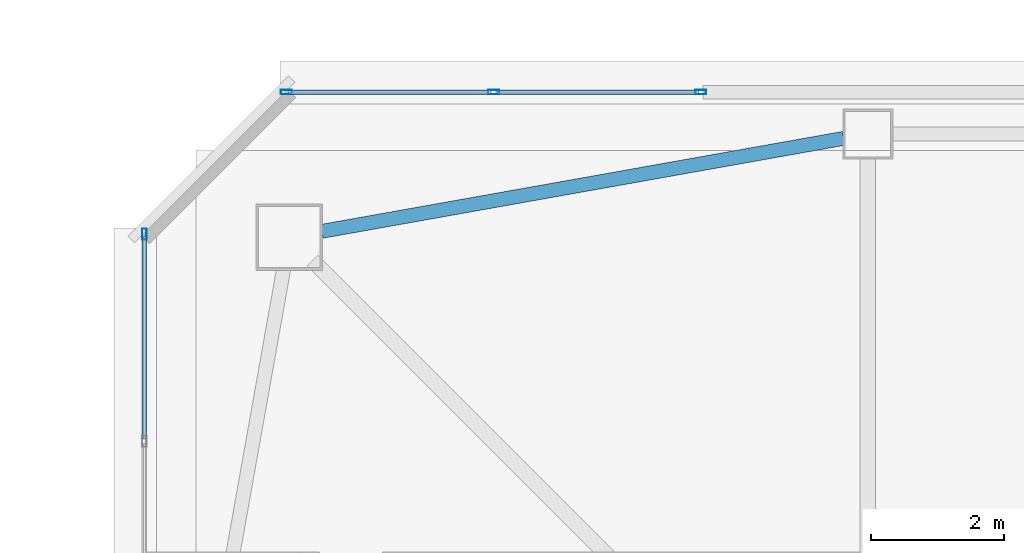
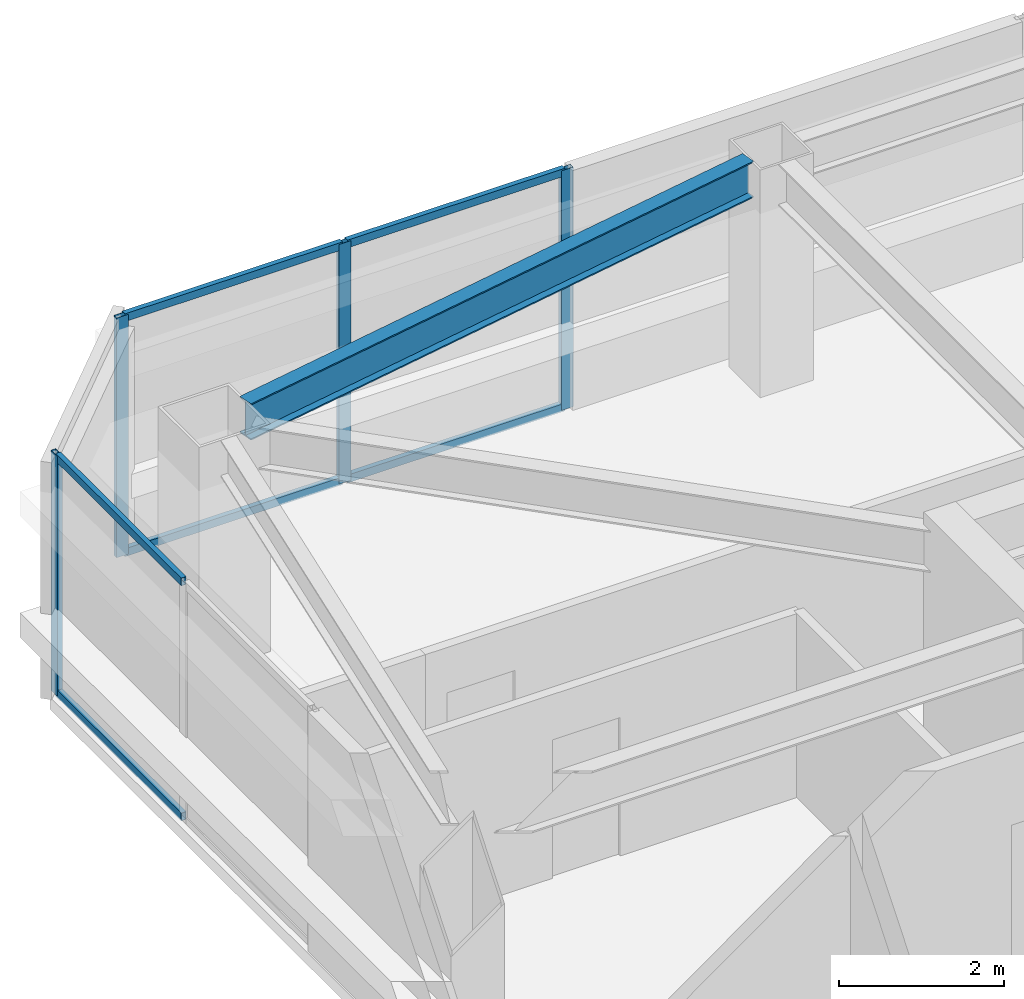
# One storey, part 15 of 44: 10 members, 1 beam, 2 elements without a shape of their own.
"""IFC4 building model written with IfcOpenShell, lengths in metres."""

from ifc_helpers import new_model, si_unit, direction, frame, origin, origin_2d, place, context, subcontext, project, spatial, hollow_rectangle, i_section, extrude, material, material_profile, profile_set, type_object, element, aggregate, save


model = new_model("IFC4")

# Units and contexts
model_context = context("Model", 3, precision=1e-05, world=origin(), true_north=direction((0.0, 1.0)))
body_context = subcontext(model_context, "Body", "Model", "MODEL_VIEW")
ifc_project = project(units=[si_unit("LENGTHUNIT", "METRE"), si_unit("AREAUNIT", "SQUARE_METRE"), si_unit("VOLUMEUNIT", "CUBIC_METRE"), si_unit("PLANEANGLEUNIT", "RADIAN"), si_unit("MASSUNIT", "GRAM", prefix="KILO")], contexts=[model_context])

# Site, building, storey
site_placement = place(None, origin())
site = spatial("IfcSite", under=ifc_project, at=site_placement, CompositionType="ELEMENT")
building_placement = place(site_placement, origin())
building = spatial("IfcBuilding", under=site, at=building_placement, Name="Tashvorn Skyway Center", CompositionType="ELEMENT")
storey_placement = place(building_placement, frame((0.0, 0.0, 211.300048828125)))
storey = spatial("IfcBuildingStorey", under=building, at=storey_placement, Name="L57", CompositionType="ELEMENT", Elevation=211.300048828125)

# Beam
ifc_material_1 = material(Name="Steel ASTM A992 Grade 50", Category="steel")
ifc_material_profile_1 = material_profile(ifc_material_1, i_section(OverallWidth=0.2109375, OverallDepth=0.5390625, WebThickness=0.01171875, FlangeThickness=0.018798828125, at=origin_2d()), Name="W21X73")
ifc_profile_set_1 = profile_set([ifc_material_profile_1], Name="Steel ASTM A992 Grade 50")
beam_type = type_object("IfcBeamType", Name="BM-SPANDREL-W21X73", PredefinedType="SPANDREL", material=ifc_profile_set_1)
beam_placement = place(storey_placement, frame((36.23583984375, 47.585205078125, 3.100341796875), z_axis=(-0.984494883191, -0.17541329759, 0.0), x_axis=(0.17541329759, -0.984494883191, 0.0)))
element("IfcBeam", 1, at=beam_placement, inside=storey, type_object=beam_type, Name="Tower 1 L57 Spandrel Beam 09", PredefinedType="SPANDREL", context=body_context, shape_type="SweptSolid", body=[
    extrude(i_section(OverallWidth=0.2109375, OverallDepth=0.5390625, WebThickness=0.01171875, FlangeThickness=0.018798828125, at=origin_2d()), origin(), (0.0, 0.0, 1.0), 7.97216796875),
])

# Curtain wall, member
ifc_material_2 = material(Name="Thermally broken bronze-anodized aluminium 6063-T6", Category="aluminium")
curtain_wall_type = type_object("IfcCurtainWallType", Name="CW-CW-Z5", PredefinedType="NOTDEFINED", material=ifc_material_2)
curtain_wall_1_placement = place(storey_placement, origin())
curtain_wall_1 = element("IfcCurtainWall", 2, at=curtain_wall_1_placement, inside=storey, type_object=curtain_wall_type, Name="Tower 1 L57 West Unitised Curtain Wall Glazing Group 3", PredefinedType="NOTDEFINED")
ifc_material_profile_2 = material_profile(ifc_material_2, hollow_rectangle(XDim=0.070068359375, YDim=0.1650390625, WallThickness=0.00390625, at=origin_2d()), Name="ALU-MULL-70x165")
ifc_profile_set_2 = profile_set([ifc_material_profile_2], Name="Thermally broken bronze-anodized aluminium 6063-T6")
member_type_1 = type_object("IfcMemberType", Name="CWM-CW-Z5", PredefinedType="MULLION", material=ifc_profile_set_2)
member_1_placement = place(storey_placement, frame((25.719970703125, 46.14501953125, 0.0), z_axis=(0.0, 0.0, 1.0), x_axis=(-1.0, 0.0, 0.0)))
member_1 = element("IfcMember", 3, at=member_1_placement, type_object=member_type_1, Name="CW-Z5 mullion 3", PredefinedType="MULLION", context=body_context, shape_type="SweptSolid", body=[
    extrude(hollow_rectangle(XDim=0.070068359375, YDim=0.1650390625, WallThickness=0.00390625, at=origin_2d()), origin(), (0.0, 0.0, 1.0), 3.550048828125),
])

# Curtain wall, members
curtain_wall_2_placement = place(storey_placement, origin())
curtain_wall_2 = element("IfcCurtainWall", 4, at=curtain_wall_2_placement, inside=storey, type_object=curtain_wall_type, Name="Tower 1 L57 North Unitised Curtain Wall Glazing Group 1", PredefinedType="NOTDEFINED")
member_2_placement = place(storey_placement, frame((27.85498046875, 48.280029296875, 0.0), z_axis=(0.0, 0.0, 1.0), x_axis=(0.0, 1.0, 0.0)))
member_2 = element("IfcMember", 5, at=member_2_placement, type_object=member_type_1, Name="CW-Z5 mullion 1", PredefinedType="MULLION", context=body_context, shape_type="SweptSolid", body=[
    extrude(hollow_rectangle(XDim=0.070068359375, YDim=0.1650390625, WallThickness=0.00390625, at=origin_2d()), origin(), (0.0, 0.0, 1.0), 3.550048828125),
])
member_3_placement = place(storey_placement, frame((30.97119140625, 48.280029296875, 0.0), z_axis=(0.0, 0.0, 1.0), x_axis=(0.0, 1.0, 0.0)))
member_3 = element("IfcMember", 6, at=member_3_placement, type_object=member_type_1, Name="CW-Z5 mullion 2", PredefinedType="MULLION", context=body_context, shape_type="SweptSolid", body=[
    extrude(hollow_rectangle(XDim=0.070068359375, YDim=0.1650390625, WallThickness=0.00390625, at=origin_2d()), origin(), (0.0, 0.0, 1.0), 3.550048828125),
])
member_4_placement = place(storey_placement, frame((34.087158203125, 48.280029296875, 0.0), z_axis=(0.0, 0.0, 1.0), x_axis=(0.0, 1.0, 0.0)))
member_4 = element("IfcMember", 7, at=member_4_placement, type_object=member_type_1, Name="CW-Z5 mullion 3", PredefinedType="MULLION", context=body_context, shape_type="SweptSolid", body=[
    extrude(hollow_rectangle(XDim=0.070068359375, YDim=0.1650390625, WallThickness=0.00390625, at=origin_2d()), origin(), (0.0, 0.0, 1.0), 3.550048828125),
])

# Member
ifc_material_profile_3 = material_profile(ifc_material_2, hollow_rectangle(XDim=0.070068359375, YDim=0.114990234375, WallThickness=0.00390625, at=origin_2d()), Name="ALU-TRAN-70x115")
ifc_profile_set_3 = profile_set([ifc_material_profile_3], Name="Thermally broken bronze-anodized aluminium 6063-T6")
member_type_2 = type_object("IfcMemberType", Name="CWT-CW-Z5", PredefinedType="USERDEFINED", material=ifc_profile_set_3)
member_5_placement = place(storey_placement, frame((25.719970703125, 43.06396484375, 0.034912109375), z_axis=(0.0, 1.0, 0.0), x_axis=(-1.0, 0.0, 0.0)))
member_5 = element("IfcMember", 8, at=member_5_placement, type_object=member_type_2, Name="CW-Z5 transom 2.1", ObjectType="TRANSOM", PredefinedType="USERDEFINED", context=body_context, shape_type="SweptSolid", body=[
    extrude(hollow_rectangle(XDim=0.070068359375, YDim=0.114990234375, WallThickness=0.00390625, at=origin_2d()), origin(), (0.0, 0.0, 1.0), 3.046142578125),
])

member_6_placement = place(storey_placement, frame((25.719970703125, 43.06396484375, 3.514892578125), z_axis=(0.0, 1.0, 0.0), x_axis=(-1.0, 0.0, 0.0)))
member_6 = element("IfcMember", 9, at=member_6_placement, type_object=member_type_2, Name="CW-Z5 transom 2.2", ObjectType="TRANSOM", PredefinedType="USERDEFINED", context=body_context, shape_type="SweptSolid", body=[
    extrude(hollow_rectangle(XDim=0.070068359375, YDim=0.114990234375, WallThickness=0.00390625, at=origin_2d()), origin(), (0.0, 0.0, 1.0), 3.046142578125),
])

aggregate(curtain_wall_1, [member_1, member_5, member_6])

member_7_placement = place(storey_placement, frame((27.889892578125, 48.280029296875, 0.034912109375), z_axis=(1.0, 0.0, 0.0), x_axis=(0.0, 1.0, 0.0)))
member_7 = element("IfcMember", 10, at=member_7_placement, type_object=member_type_2, Name="CW-Z5 transom 1.1", ObjectType="TRANSOM", PredefinedType="USERDEFINED", context=body_context, shape_type="SweptSolid", body=[
    extrude(hollow_rectangle(XDim=0.070068359375, YDim=0.114990234375, WallThickness=0.00390625, at=origin_2d()), origin(), (0.0, 0.0, 1.0), 3.046142578125),
])

member_8_placement = place(storey_placement, frame((27.889892578125, 48.280029296875, 3.514892578125), z_axis=(1.0, 0.0, 0.0), x_axis=(0.0, 1.0, 0.0)))
member_8 = element("IfcMember", 11, at=member_8_placement, type_object=member_type_2, Name="CW-Z5 transom 1.2", ObjectType="TRANSOM", PredefinedType="USERDEFINED", context=body_context, shape_type="SweptSolid", body=[
    extrude(hollow_rectangle(XDim=0.070068359375, YDim=0.114990234375, WallThickness=0.00390625, at=origin_2d()), origin(), (0.0, 0.0, 1.0), 3.046142578125),
])

member_9_placement = place(storey_placement, frame((31.006103515625, 48.280029296875, 0.034912109375), z_axis=(1.0, 0.0, 0.0), x_axis=(0.0, 1.0, 0.0)))
member_9 = element("IfcMember", 12, at=member_9_placement, type_object=member_type_2, Name="CW-Z5 transom 2.1", ObjectType="TRANSOM", PredefinedType="USERDEFINED", context=body_context, shape_type="SweptSolid", body=[
    extrude(hollow_rectangle(XDim=0.070068359375, YDim=0.114990234375, WallThickness=0.00390625, at=origin_2d()), origin(), (0.0, 0.0, 1.0), 3.046142578125),
])

member_10_placement = place(storey_placement, frame((31.006103515625, 48.280029296875, 3.514892578125), z_axis=(1.0, 0.0, 0.0), x_axis=(0.0, 1.0, 0.0)))
member_10 = element("IfcMember", 13, at=member_10_placement, type_object=member_type_2, Name="CW-Z5 transom 2.2", ObjectType="TRANSOM", PredefinedType="USERDEFINED", context=body_context, shape_type="SweptSolid", body=[
    extrude(hollow_rectangle(XDim=0.070068359375, YDim=0.114990234375, WallThickness=0.00390625, at=origin_2d()), origin(), (0.0, 0.0, 1.0), 3.046142578125),
])

aggregate(curtain_wall_2, [member_2, member_3, member_4, member_7, member_8, member_9, member_10])

save(model, "model.ifc")
